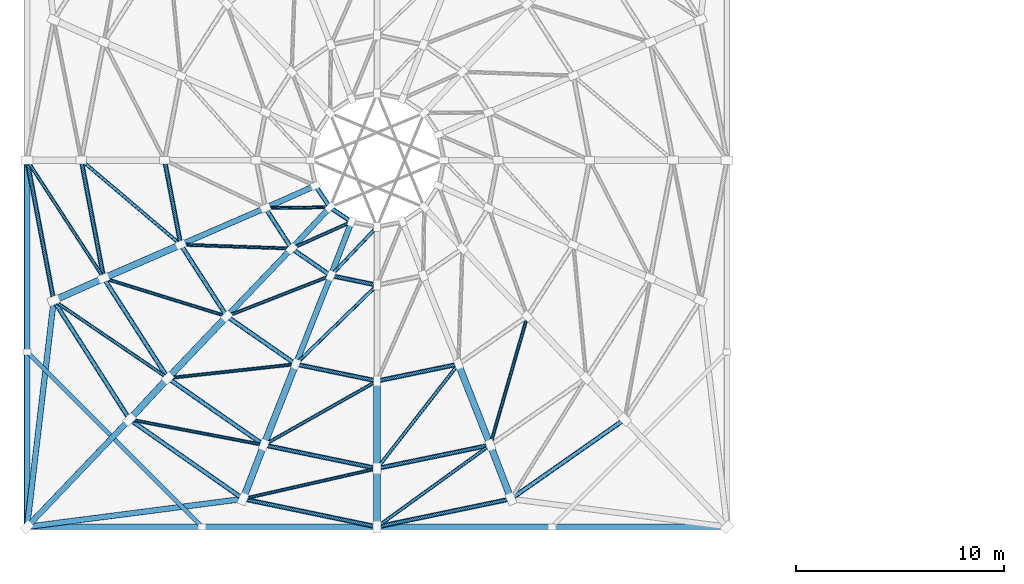
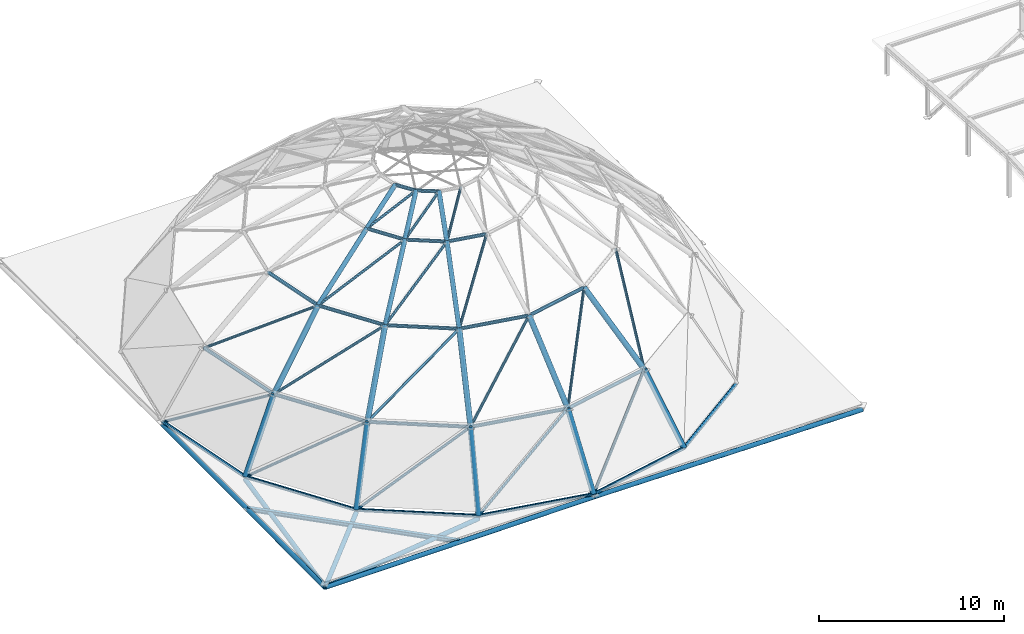
# One storey, part 2 of 49: 45 members, 16 beams.
"""IFC4 building model written with IfcOpenShell, lengths in metres."""

from ifc_helpers import new_model, si_unit, direction, frame, origin, origin_2d, place, context, subcontext, project, spatial, hollow_circle, i_section, extrude, material, material_profile, profile_set, type_object, element, save


model = new_model("IFC4")

# Units and contexts
model_context = context("Model", 3, precision=1e-05, world=origin(), true_north=direction((0.0, 1.0)))
body_context = subcontext(model_context, "Body", "Model", "MODEL_VIEW")
ifc_project = project(units=[si_unit("LENGTHUNIT", "METRE"), si_unit("AREAUNIT", "SQUARE_METRE"), si_unit("VOLUMEUNIT", "CUBIC_METRE"), si_unit("PLANEANGLEUNIT", "RADIAN"), si_unit("MASSUNIT", "GRAM", prefix="KILO")], contexts=[model_context])

# Site, building, storey
site_placement = place(None, origin())
site = spatial("IfcSite", under=ifc_project, at=site_placement, CompositionType="ELEMENT")
building_placement = place(site_placement, origin())
building = spatial("IfcBuilding", under=site, at=building_placement, Name="Kemercrest Conservatory and Botanical Centre", CompositionType="ELEMENT")
storey_placement = place(building_placement, frame((0.0, 0.0, 13.199951171875)))
storey = spatial("IfcBuildingStorey", under=building, at=storey_placement, Name="L03", CompositionType="ELEMENT", Elevation=13.199951171875)

# Member
ifc_material = material(Name="Steel CSA G40.21 350W", Category="steel")
ifc_material_profile_1 = material_profile(ifc_material, i_section(OverallWidth=0.202880859375, OverallDepth=0.251953125, WebThickness=0.008056640625, FlangeThickness=0.013427734375, FilletRadius=0.010986328125, at=origin_2d()), Name="W250X58")
ifc_profile_set_1 = profile_set([ifc_material_profile_1], Name="Steel CSA G40.21 350W")
member_type_1 = type_object("IfcMemberType", Name="BR-LAT250", PredefinedType="BRACE", material=ifc_profile_set_1)
member_1_placement = place(storey_placement, frame((8.0, 25.199951171875, -0.14990234375), z_axis=(0.707106781187, -0.707106781187, 0.0), x_axis=(0.707106781187, 0.707106781187, 0.0)))
element("IfcMember", 1, at=member_1_placement, inside=storey, type_object=member_type_1, Name="Roof diaphragm corner wind brace BR-LAT250", PredefinedType="BRACE", context=body_context, shape_type="SweptSolid", body=[
    extrude(i_section(OverallWidth=0.202880859375, OverallDepth=0.251953125, WebThickness=0.008056640625, FlangeThickness=0.013427734375, FilletRadius=0.010986328125, at=origin_2d()), origin(), (0.0, 0.0, 1.0), 11.879150390625),
])

# Beams
ifc_material_profile_2 = material_profile(ifc_material, hollow_circle(Radius=0.136474609375, WallThickness=0.0126953125, at=origin_2d()), Name="CHS 273.1x12.7")
ifc_profile_set_2 = profile_set([ifc_material_profile_2], Name="Steel CSA G40.21 350W")
beam_type_1 = type_object("IfcBeamType", Name="GR-RIB273", PredefinedType="BEAM", material=ifc_profile_set_2)
beam_1_placement = place(storey_placement, frame((15.37646484375, 30.343505859375, 7.60009765625), z_axis=(0.791402888099, 0.34275112469, 0.506165126448), x_axis=(-0.397421828199, 0.917636033769, 0.0)))
element("IfcBeam", 2, at=beam_1_placement, inside=storey, type_object=beam_type_1, Name="Conservatory dome arch rib R2-09", PredefinedType="BEAM", context=body_context, shape_type="SweptSolid", body=[
    extrude(hollow_circle(Radius=0.136474609375, WallThickness=0.0126953125, at=origin_2d()), origin(), (0.0, 0.0, 1.0), 5.136474609375),
])
beam_2_placement = place(storey_placement, frame((17.58740234375, 26.90478515625, 7.60009765625), z_axis=(0.598558557553, 0.625752955295, 0.500160866242), x_axis=(-0.722634789358, 0.691230034945, 0.0)))
element("IfcBeam", 3, at=beam_2_placement, inside=storey, type_object=beam_type_1, Name="Conservatory dome arch rib R2-10", PredefinedType="BEAM", context=body_context, shape_type="SweptSolid", body=[
    extrude(hollow_circle(Radius=0.136474609375, WallThickness=0.0126953125, at=origin_2d()), origin(), (0.0, 0.0, 1.0), 5.197998046875),
])
beam_3_placement = place(storey_placement, frame((20.896484375, 24.60693359375, 7.60009765625), z_axis=(0.32019434461, 0.808122800729, 0.494381553683), x_axis=(-0.929683571061, 0.368359142277, 0.0)))
element("IfcBeam", 4, at=beam_3_placement, inside=storey, type_object=beam_type_1, Name="Conservatory dome arch rib R2-11", PredefinedType="BEAM", context=body_context, shape_type="SweptSolid", body=[
    extrude(hollow_circle(Radius=0.136474609375, WallThickness=0.0126953125, at=origin_2d()), origin(), (0.0, 0.0, 1.0), 5.2587890625),
])
beam_4_placement = place(storey_placement, frame((19.44140625, 32.10400390625, 10.199951171875), z_axis=(0.806175695367, 0.359538464404, 0.469907268313), x_axis=(-0.40730943077, 0.913290220908, 0.0)))
element("IfcBeam", 5, at=beam_4_placement, inside=storey, type_object=beam_type_1, Name="Conservatory dome arch rib R3-09", PredefinedType="BEAM", context=body_context, shape_type="SweptSolid", body=[
    extrude(hollow_circle(Radius=0.136474609375, WallThickness=0.0126953125, at=origin_2d()), origin(), (0.0, 0.0, 1.0), 2.979736328125),
])
beam_5_placement = place(storey_placement, frame((20.69873046875, 30.157470703125, 10.199951171875), z_axis=(0.604199208879, 0.65057115719, 0.46010921032), x_axis=(-0.732738777422, 0.680510017606, 0.0)))
element("IfcBeam", 6, at=beam_5_placement, inside=storey, type_object=beam_type_1, Name="Conservatory dome arch rib R3-10", PredefinedType="BEAM", context=body_context, shape_type="SweptSolid", body=[
    extrude(hollow_circle(Radius=0.136474609375, WallThickness=0.0126953125, at=origin_2d()), origin(), (0.0, 0.0, 1.0), 3.04296875),
])
beam_6_placement = place(storey_placement, frame((22.580322265625, 28.856689453125, 10.199951171875), z_axis=(0.32045924914, 0.833068254142, 0.450891509768), x_axis=(-0.933327443566, 0.359026298601, 0.0)))
element("IfcBeam", 7, at=beam_6_placement, inside=storey, type_object=beam_type_1, Name="Conservatory dome arch rib R3-11", PredefinedType="BEAM", context=body_context, shape_type="SweptSolid", body=[
    extrude(hollow_circle(Radius=0.136474609375, WallThickness=0.0126953125, at=origin_2d()), origin(), (0.0, 0.0, 1.0), 3.105224609375),
])
ifc_material_profile_3 = material_profile(ifc_material, hollow_circle(Radius=0.161865234375, WallThickness=0.0126953125, at=origin_2d()), Name="CHS 323.9x12.7")
ifc_profile_set_3 = profile_set([ifc_material_profile_3], Name="Steel CSA G40.21 350W")
beam_type_2 = type_object("IfcBeamType", Name="GR-RIB324", PredefinedType="BEAM", material=ifc_profile_set_3)
beam_7_placement = place(storey_placement, frame((9.27880859375, 27.664794921875, 0.02001953125), z_axis=(0.503522747608, 0.22461239346, 0.834274604279), x_axis=(-0.407386850353, 0.913255689366, 0.0)))
element("IfcBeam", 8, at=beam_7_placement, inside=storey, type_object=beam_type_2, Name="Conservatory dome arch rib R0-09", PredefinedType="BEAM", context=body_context, shape_type="SweptSolid", body=[
    extrude(hollow_circle(Radius=0.161865234375, WallThickness=0.0126953125, at=origin_2d()), origin(), (0.0, 0.0, 1.0), 4.7705078125),
])
beam_8_placement = place(storey_placement, frame((12.920654296875, 21.954833984375, 0.02001953125), z_axis=(0.382165461499, 0.411601844987, 0.827365385571), x_axis=(-0.732825674087, 0.680416439689, 0.0)))
element("IfcBeam", 9, at=beam_8_placement, inside=storey, type_object=beam_type_2, Name="Conservatory dome arch rib R0-10", PredefinedType="BEAM", context=body_context, shape_type="SweptSolid", body=[
    extrude(hollow_circle(Radius=0.161865234375, WallThickness=0.0126953125, at=origin_2d()), origin(), (0.0, 0.0, 1.0), 4.810546875),
])
beam_9_placement = place(storey_placement, frame((18.370849609375, 18.1396484375, 0.02001953125), z_axis=(0.205178247157, 0.533382901589, 0.820612312354), x_axis=(-0.933327443566, 0.359026298601, 0.0)))
element("IfcBeam", 10, at=beam_9_placement, inside=storey, type_object=beam_type_2, Name="Conservatory dome arch rib R0-11", PredefinedType="BEAM", context=body_context, shape_type="SweptSolid", body=[
    extrude(hollow_circle(Radius=0.161865234375, WallThickness=0.0126953125, at=origin_2d()), origin(), (0.0, 0.0, 1.0), 4.85009765625),
])
beam_10_placement = place(storey_placement, frame((24.800048828125, 16.800048828125, 0.02001953125), z_axis=(0.0, 0.575400196627, 0.817872003263), x_axis=(-1.0, 0.0, 0.0)))
element("IfcBeam", 11, at=beam_10_placement, inside=storey, type_object=beam_type_2, Name="Conservatory dome arch rib R0-12", PredefinedType="BEAM", context=body_context, shape_type="SweptSolid", body=[
    extrude(hollow_circle(Radius=0.161865234375, WallThickness=0.0126953125, at=origin_2d()), origin(), (0.0, 0.0, 1.0), 4.8662109375),
])
beam_11_placement = place(storey_placement, frame((31.22900390625, 18.1396484375, 0.02001953125), z_axis=(-0.205130027413, 0.533388409932, 0.820620786968), x_axis=(-0.933356956997, -0.358949565852, 0.0)))
element("IfcBeam", 12, at=beam_11_placement, inside=storey, type_object=beam_type_2, Name="Conservatory dome arch rib R0-13", PredefinedType="BEAM", context=body_context, shape_type="SweptSolid", body=[
    extrude(hollow_circle(Radius=0.161865234375, WallThickness=0.0126953125, at=origin_2d()), origin(), (0.0, 0.0, 1.0), 4.849853515625),
])
beam_12_placement = place(storey_placement, frame((11.680908203125, 28.736328125, 4.0), z_axis=(0.68388334128, 0.297417192023, 0.666218124497), x_axis=(-0.398812504267, 0.917032489305, 0.0)))
element("IfcBeam", 13, at=beam_12_placement, inside=storey, type_object=beam_type_2, Name="Conservatory dome arch rib R1-09", PredefinedType="BEAM", context=body_context, shape_type="SweptSolid", body=[
    extrude(hollow_circle(Radius=0.161865234375, WallThickness=0.0126953125, at=origin_2d()), origin(), (0.0, 0.0, 1.0), 5.40380859375),
])
beam_13_placement = place(storey_placement, frame((14.759033203125, 23.934814453125, 4.0), z_axis=(0.518281509086, 0.544229137508, 0.659696083986), x_axis=(-0.724159165442, 0.689632875598, 0.0)))
element("IfcBeam", 14, at=beam_13_placement, inside=storey, type_object=beam_type_2, Name="Conservatory dome arch rib R1-10", PredefinedType="BEAM", context=body_context, shape_type="SweptSolid", body=[
    extrude(hollow_circle(Radius=0.161865234375, WallThickness=0.0126953125, at=origin_2d()), origin(), (0.0, 0.0, 1.0), 5.457275390625),
])
beam_14_placement = place(storey_placement, frame((19.365966796875, 20.7265625, 4.0), z_axis=(0.277769206381, 0.704237321139, 0.653371305997), x_axis=(-0.93025407959, 0.366915995026, 0.0)))
element("IfcBeam", 15, at=beam_14_placement, inside=storey, type_object=beam_type_2, Name="Conservatory dome arch rib R1-11", PredefinedType="BEAM", context=body_context, shape_type="SweptSolid", body=[
    extrude(hollow_circle(Radius=0.161865234375, WallThickness=0.0126953125, at=origin_2d()), origin(), (0.0, 0.0, 1.0), 5.510009765625),
])
beam_15_placement = place(storey_placement, frame((24.800048828125, 19.60009765625, 4.0), z_axis=(0.0, 0.759244140748, 0.650805911728), x_axis=(-1.0, 0.0, 0.0)))
element("IfcBeam", 16, at=beam_15_placement, inside=storey, type_object=beam_type_2, Name="Conservatory dome arch rib R1-12", PredefinedType="BEAM", context=body_context, shape_type="SweptSolid", body=[
    extrude(hollow_circle(Radius=0.161865234375, WallThickness=0.0126953125, at=origin_2d()), origin(), (0.0, 0.0, 1.0), 5.53173828125),
])
beam_16_placement = place(storey_placement, frame((30.234130859375, 20.7265625, 4.0), z_axis=(-0.277810095357, 0.704228653206, 0.653363264136), x_axis=(-0.930234101349, -0.366966642472, 0.0)))
element("IfcBeam", 17, at=beam_16_placement, inside=storey, type_object=beam_type_2, Name="Conservatory dome arch rib R1-13", PredefinedType="BEAM", context=body_context, shape_type="SweptSolid", body=[
    extrude(hollow_circle(Radius=0.161865234375, WallThickness=0.0126953125, at=origin_2d()), origin(), (0.0, 0.0, 1.0), 5.510009765625),
])

# Members
ifc_material_profile_4 = material_profile(ifc_material, hollow_circle(Radius=0.084228515625, WallThickness=0.009521484375, at=origin_2d()), Name="CHS 168.3x9.5")
ifc_profile_set_4 = profile_set([ifc_material_profile_4], Name="Steel CSA G40.21 350W")
member_type_2 = type_object("IfcMemberType", Name="MB-DIAG168", PredefinedType="BRACE", material=ifc_profile_set_4)
member_2_placement = place(storey_placement, frame((8.0, 34.39990234375, 0.02001953125), z_axis=(0.469504351017, -0.722395830397, 0.50765138491), x_axis=(0.838471692004, 0.54494515477, 0.0)))
element("IfcMember", 18, at=member_2_placement, inside=storey, type_object=member_type_2, Name="Conservatory dome diagrid brace R0-08", PredefinedType="BRACE", context=body_context, shape_type="SweptSolid", body=[
    extrude(hollow_circle(Radius=0.084228515625, WallThickness=0.009521484375, at=origin_2d()), origin(), (0.0, 0.0, 1.0), 7.840087890625),
])
member_3_placement = place(storey_placement, frame((9.27880859375, 27.664794921875, 0.02001953125), z_axis=(0.708759863811, -0.482400017789, 0.514732627961), x_axis=(0.562663546351, 0.826685994564, 0.0)))
element("IfcMember", 19, at=member_3_placement, inside=storey, type_object=member_type_2, Name="Conservatory dome diagrid brace R0-09", PredefinedType="BRACE", context=body_context, shape_type="SweptSolid", body=[
    extrude(hollow_circle(Radius=0.084228515625, WallThickness=0.009521484375, at=origin_2d()), origin(), (0.0, 0.0, 1.0), 7.732177734375),
])
member_4_placement = place(storey_placement, frame((12.920654296875, 21.954833984375, 0.02001953125), z_axis=(0.839884765954, -0.160055312785, 0.518628842977), x_axis=(0.1871993085, 0.982321952772, 0.0)))
element("IfcMember", 20, at=member_4_placement, inside=storey, type_object=member_type_2, Name="Conservatory dome diagrid brace R0-10", PredefinedType="BRACE", context=body_context, shape_type="SweptSolid", body=[
    extrude(hollow_circle(Radius=0.084228515625, WallThickness=0.009521484375, at=origin_2d()), origin(), (0.0, 0.0, 1.0), 7.674072265625),
])
member_5_placement = place(storey_placement, frame((18.370849609375, 18.1396484375, 0.02001953125), z_axis=(0.834835918273, 0.189640330489, 0.516803187502), x_axis=(-0.221515467618, 0.97515685795, 0.0)))
element("IfcMember", 21, at=member_5_placement, inside=storey, type_object=member_type_2, Name="Conservatory dome diagrid brace R0-11", PredefinedType="BRACE", context=body_context, shape_type="SweptSolid", body=[
    extrude(hollow_circle(Radius=0.084228515625, WallThickness=0.009521484375, at=origin_2d()), origin(), (0.0, 0.0, 1.0), 7.701171875),
])
member_6_placement = place(storey_placement, frame((24.800048828125, 16.800048828125, 0.02001953125), z_axis=(0.696980823106, 0.503618590081, 0.510476295187), x_axis=(-0.58567668046, 0.810544771105, 0.0)))
element("IfcMember", 22, at=member_6_placement, inside=storey, type_object=member_type_2, Name="Conservatory dome diagrid brace R0-12", PredefinedType="BRACE", context=body_context, shape_type="SweptSolid", body=[
    extrude(hollow_circle(Radius=0.084228515625, WallThickness=0.009521484375, at=origin_2d()), origin(), (0.0, 0.0, 1.0), 7.796630859375),
])
member_7_placement = place(storey_placement, frame((10.60009765625, 34.39990234375, 4.0), z_axis=(0.660910932157, -0.561287831619, 0.498149284685), x_axis=(0.64732265645, 0.762216096948, 0.0)))
element("IfcMember", 23, at=member_7_placement, inside=storey, type_object=member_type_2, Name="Conservatory dome diagrid brace R1-08", PredefinedType="BRACE", context=body_context, shape_type="SweptSolid", body=[
    extrude(hollow_circle(Radius=0.084228515625, WallThickness=0.009521484375, at=origin_2d()), origin(), (0.0, 0.0, 1.0), 7.22705078125),
])
member_8_placement = place(storey_placement, frame((11.680908203125, 28.736328125, 4.0), z_axis=(0.825442126685, -0.255961097606, 0.503119480845), x_axis=(0.296176929974, 0.955133093423, 0.0)))
element("IfcMember", 24, at=member_8_placement, inside=storey, type_object=member_type_2, Name="Conservatory dome diagrid brace R1-09", PredefinedType="BRACE", context=body_context, shape_type="SweptSolid", body=[
    extrude(hollow_circle(Radius=0.084228515625, WallThickness=0.009521484375, at=origin_2d()), origin(), (0.0, 0.0, 1.0), 7.155517578125),
])
member_9_placement = place(storey_placement, frame((14.759033203125, 23.934814453125, 4.0), z_axis=(0.858735465908, 0.094041081095, 0.503715866991), x_axis=(-0.108860299988, 0.994057058265, 0.0)))
element("IfcMember", 25, at=member_9_placement, inside=storey, type_object=member_type_2, Name="Conservatory dome diagrid brace R1-10", PredefinedType="BRACE", context=body_context, shape_type="SweptSolid", body=[
    extrude(hollow_circle(Radius=0.084228515625, WallThickness=0.009521484375, at=origin_2d()), origin(), (0.0, 0.0, 1.0), 7.14697265625),
])
member_10_placement = place(storey_placement, frame((19.365966796875, 20.7265625, 4.0), z_axis=(0.754033805362, 0.426477292466, 0.499549936826), x_axis=(-0.492305935315, 0.870422234351, 0.0)))
element("IfcMember", 26, at=member_10_placement, inside=storey, type_object=member_type_2, Name="Conservatory dome diagrid brace R1-11", PredefinedType="BRACE", context=body_context, shape_type="SweptSolid", body=[
    extrude(hollow_circle(Radius=0.084228515625, WallThickness=0.009521484375, at=origin_2d()), origin(), (0.0, 0.0, 1.0), 7.206787109375),
])
member_11_placement = place(storey_placement, frame((24.800048828125, 19.60009765625, 4.0), z_axis=(0.534826785478, 0.686028753851, 0.493279695938), x_axis=(-0.788655952444, 0.614834765344, 0.0)))
element("IfcMember", 27, at=member_11_placement, inside=storey, type_object=member_type_2, Name="Conservatory dome diagrid brace R1-12", PredefinedType="BRACE", context=body_context, shape_type="SweptSolid", body=[
    extrude(hollow_circle(Radius=0.084228515625, WallThickness=0.009521484375, at=origin_2d()), origin(), (0.0, 0.0, 1.0), 7.29833984375),
])
member_12_placement = place(storey_placement, frame((30.234130859375, 20.7265625, 4.0), z_axis=(0.241343620673, 0.838473594833, 0.48858498496), x_axis=(-0.960983289976, 0.27660642868, 0.0)))
element("IfcMember", 28, at=member_12_placement, inside=storey, type_object=member_type_2, Name="Conservatory dome diagrid brace R1-13", PredefinedType="BRACE", context=body_context, shape_type="SweptSolid", body=[
    extrude(hollow_circle(Radius=0.084228515625, WallThickness=0.009521484375, at=origin_2d()), origin(), (0.0, 0.0, 1.0), 7.368408203125),
])
member_13_placement = place(storey_placement, frame((15.37646484375, 30.343505859375, 7.60009765625), z_axis=(0.898084236958, -0.031391751769, 0.438701790797), x_axis=(0.034932794666, 0.999389663673, 0.0)))
element("IfcMember", 29, at=member_13_placement, inside=storey, type_object=member_type_2, Name="Conservatory dome diagrid brace R2-09", PredefinedType="BRACE", context=body_context, shape_type="SweptSolid", body=[
    extrude(hollow_circle(Radius=0.084228515625, WallThickness=0.009521484375, at=origin_2d()), origin(), (0.0, 0.0, 1.0), 5.92626953125),
])
member_14_placement = place(storey_placement, frame((17.58740234375, 26.90478515625, 7.60009765625), z_axis=(0.838011736516, 0.327607639404, 0.436359443654), x_axis=(-0.364100550792, 0.93135964531, 0.0)))
element("IfcMember", 30, at=member_14_placement, inside=storey, type_object=member_type_2, Name="Conservatory dome diagrid brace R2-10", PredefinedType="BRACE", context=body_context, shape_type="SweptSolid", body=[
    extrude(hollow_circle(Radius=0.084228515625, WallThickness=0.009521484375, at=origin_2d()), origin(), (0.0, 0.0, 1.0), 5.9580078125),
])
member_15_placement = place(storey_placement, frame((20.896484375, 24.60693359375, 7.60009765625), z_axis=(0.647154727909, 0.628819554243, 0.431018243636), x_axis=(-0.696874033445, 0.717193545363, 0.0)))
element("IfcMember", 31, at=member_15_placement, inside=storey, type_object=member_type_2, Name="Conservatory dome diagrid brace R2-11", PredefinedType="BRACE", context=body_context, shape_type="SweptSolid", body=[
    extrude(hollow_circle(Radius=0.084228515625, WallThickness=0.009521484375, at=origin_2d()), origin(), (0.0, 0.0, 1.0), 6.031982421875),
])
member_16_placement = place(storey_placement, frame((19.44140625, 32.10400390625, 10.199951171875), z_axis=(0.911108746552, 0.009771373672, 0.412050205936), x_axis=(-0.010724089532, 0.999942495298, 0.0)))
element("IfcMember", 32, at=member_16_placement, inside=storey, type_object=member_type_2, Name="Conservatory dome diagrid brace R3-09", PredefinedType="BRACE", context=body_context, shape_type="SweptSolid", body=[
    extrude(hollow_circle(Radius=0.084228515625, WallThickness=0.009521484375, at=origin_2d()), origin(), (0.0, 0.0, 1.0), 3.39794921875),
])
member_17_placement = place(storey_placement, frame((20.69873046875, 30.157470703125, 10.199951171875), z_axis=(0.834266796404, 0.37298798977, 0.406052794481), x_axis=(-0.408150292542, 0.912914748866, 0.0)))
element("IfcMember", 33, at=member_17_placement, inside=storey, type_object=member_type_2, Name="Conservatory dome diagrid brace R3-10", PredefinedType="BRACE", context=body_context, shape_type="SweptSolid", body=[
    extrude(hollow_circle(Radius=0.084228515625, WallThickness=0.009521484375, at=origin_2d()), origin(), (0.0, 0.0, 1.0), 3.4482421875),
])
member_18_placement = place(storey_placement, frame((22.580322265625, 28.856689453125, 10.199951171875), z_axis=(0.630907899994, 0.666020020253, 0.397960493452), x_axis=(-0.725984484696, 0.687711078856, 0.0)))
element("IfcMember", 34, at=member_18_placement, inside=storey, type_object=member_type_2, Name="Conservatory dome diagrid brace R3-11", PredefinedType="BRACE", context=body_context, shape_type="SweptSolid", body=[
    extrude(hollow_circle(Radius=0.084228515625, WallThickness=0.009521484375, at=origin_2d()), origin(), (0.0, 0.0, 1.0), 3.518310546875),
])
ifc_material_profile_5 = material_profile(ifc_material, hollow_circle(Radius=0.136474609375, WallThickness=0.0126953125, at=origin_2d()), Name="CHS 273.1x12.7")
ifc_profile_set_5 = profile_set([ifc_material_profile_5], Name="Steel CSA G40.21 350W")
member_type_3 = type_object("IfcMemberType", Name="MB-PEND273", PredefinedType="BRACE", material=ifc_profile_set_5)
member_19_placement = place(storey_placement, frame((8.0, 16.800048828125, -0.25), z_axis=(0.0, 0.999983827052, 0.005687322186), x_axis=(-1.0, 0.0, 0.0)))
element("IfcMember", 35, at=member_19_placement, inside=storey, type_object=member_type_3, Name="Conservatory pendentive fan brace SW-08", PredefinedType="BRACE", context=body_context, shape_type="SweptSolid", body=[
    extrude(hollow_circle(Radius=0.136474609375, WallThickness=0.0126953125, at=origin_2d()), origin(), (0.0, 0.0, 1.0), 17.60009765625),
])
member_20_placement = place(storey_placement, frame((8.0, 16.800048828125, -0.25), z_axis=(0.116890737429, 0.993102634036, 0.009149523166), x_axis=(-0.993144204831, 0.116895630419, 0.0)))
element("IfcMember", 36, at=member_20_placement, inside=storey, type_object=member_type_3, Name="Conservatory pendentive fan brace SW-09", PredefinedType="BRACE", context=body_context, shape_type="SweptSolid", body=[
    extrude(hollow_circle(Radius=0.136474609375, WallThickness=0.0126953125, at=origin_2d()), origin(), (0.0, 0.0, 1.0), 10.940185546875),
])
member_21_placement = place(storey_placement, frame((8.0, 16.800048828125, -0.25), z_axis=(0.69042067868, 0.723271754386, 0.014044776892), x_axis=(-0.7233430997, 0.690488783483, 0.0)))
element("IfcMember", 37, at=member_21_placement, inside=storey, type_object=member_type_3, Name="Conservatory pendentive fan brace SW-10", PredefinedType="BRACE", context=body_context, shape_type="SweptSolid", body=[
    extrude(hollow_circle(Radius=0.136474609375, WallThickness=0.0126953125, at=origin_2d()), origin(), (0.0, 0.0, 1.0), 7.126953125),
])
member_22_placement = place(storey_placement, frame((8.0, 16.800048828125, -0.25), z_axis=(0.99171512248, 0.12809955218, 0.00957186375), x_axis=(-0.12810542086, 0.991760556357, 0.0)))
element("IfcMember", 38, at=member_22_placement, inside=storey, type_object=member_type_3, Name="Conservatory pendentive fan brace SW-11", PredefinedType="BRACE", context=body_context, shape_type="SweptSolid", body=[
    extrude(hollow_circle(Radius=0.136474609375, WallThickness=0.0126953125, at=origin_2d()), origin(), (0.0, 0.0, 1.0), 10.45751953125),
])
for number, where, z_axis, x_axis, name in (
    (39, (8.0, 16.800048828125, -0.25), (0.999982250539, 0.0, 0.005958070753), (0.0, 1.0, 0.0), "Conservatory pendentive fan brace SW-12"),
    (40, (41.60009765625, 16.800048828125, -0.25), (-0.999982250539, 0.0, 0.005958070753), (0.0, -1.0, 0.0), "Conservatory pendentive fan brace SE-12"),
):
    element("IfcMember", number, at=place(storey_placement, frame(where, z_axis=z_axis, x_axis=x_axis)), inside=storey, type_object=member_type_3, Name=name, PredefinedType="BRACE", context=body_context, shape_type="SweptSolid", body=[
        extrude(hollow_circle(Radius=0.136474609375, WallThickness=0.0126953125, at=origin_2d()), origin(), (0.0, 0.0, 1.0), 16.80029296875),
    ])
ifc_material_profile_6 = material_profile(ifc_material, hollow_circle(Radius=0.109619140625, WallThickness=0.010009765625, at=origin_2d()), Name="CHS 219.1x10.0")
ifc_profile_set_6 = profile_set([ifc_material_profile_6], Name="Steel CSA G40.21 350W")
member_type_4 = type_object("IfcMemberType", Name="MB-RING219", PredefinedType="CHORD", material=ifc_profile_set_6)
member_23_placement = place(storey_placement, frame((8.0, 34.39990234375, 0.02001953125), z_axis=(0.186539311687, -0.982447497424, 0.0), x_axis=(0.982447497424, 0.186539311687, 0.0)))
element("IfcMember", 41, at=member_23_placement, inside=storey, type_object=member_type_4, Name="Conservatory dome latitude ring R0-08", PredefinedType="CHORD", context=body_context, shape_type="SweptSolid", body=[
    extrude(hollow_circle(Radius=0.109619140625, WallThickness=0.010009765625, at=origin_2d()), origin(), (0.0, 0.0, 1.0), 6.85546875),
])
member_24_placement = place(storey_placement, frame((9.27880859375, 27.664794921875, 0.02001953125), z_axis=(0.537740594043, -0.843110344806, 0.0), x_axis=(0.843110344806, 0.537740594043, 0.0)))
element("IfcMember", 42, at=member_24_placement, inside=storey, type_object=member_type_4, Name="Conservatory dome latitude ring R0-09", PredefinedType="CHORD", context=body_context, shape_type="SweptSolid", body=[
    extrude(hollow_circle(Radius=0.109619140625, WallThickness=0.010009765625, at=origin_2d()), origin(), (0.0, 0.0, 1.0), 6.7724609375),
])
member_25_placement = place(storey_placement, frame((12.920654296875, 21.954833984375, 0.02001953125), z_axis=(0.819228472444, -0.573467270153, 0.0), x_axis=(0.573467270153, 0.819228472444, 0.0)))
element("IfcMember", 43, at=member_25_placement, inside=storey, type_object=member_type_4, Name="Conservatory dome latitude ring R0-10", PredefinedType="CHORD", context=body_context, shape_type="SweptSolid", body=[
    extrude(hollow_circle(Radius=0.109619140625, WallThickness=0.010009765625, at=origin_2d()), origin(), (0.0, 0.0, 1.0), 6.65283203125),
])
member_26_placement = place(storey_placement, frame((18.370849609375, 18.1396484375, 0.02001953125), z_axis=(0.978974852353, -0.20398097573, 0.0), x_axis=(0.20398097573, 0.978974852353, 0.0)))
element("IfcMember", 44, at=member_26_placement, inside=storey, type_object=member_type_4, Name="Conservatory dome latitude ring R0-11", PredefinedType="CHORD", context=body_context, shape_type="SweptSolid", body=[
    extrude(hollow_circle(Radius=0.109619140625, WallThickness=0.010009765625, at=origin_2d()), origin(), (0.0, 0.0, 1.0), 6.5673828125),
])
member_27_placement = place(storey_placement, frame((24.800048828125, 16.800048828125, 0.02001953125), z_axis=(0.978973305469, 0.203988399617, 0.0), x_axis=(-0.203988399617, 0.978973305469, 0.0)))
element("IfcMember", 45, at=member_27_placement, inside=storey, type_object=member_type_4, Name="Conservatory dome latitude ring R0-12", PredefinedType="CHORD", context=body_context, shape_type="SweptSolid", body=[
    extrude(hollow_circle(Radius=0.109619140625, WallThickness=0.010009765625, at=origin_2d()), origin(), (0.0, 0.0, 1.0), 6.567138671875),
])
member_28_placement = place(storey_placement, frame((31.22900390625, 18.1396484375, 0.02001953125), z_axis=(0.819240540317, 0.573450030169, 0.0), x_axis=(-0.573450030169, 0.819240540317, 0.0)))
element("IfcMember", 46, at=member_28_placement, inside=storey, type_object=member_type_4, Name="Conservatory dome latitude ring R0-13", PredefinedType="CHORD", context=body_context, shape_type="SweptSolid", body=[
    extrude(hollow_circle(Radius=0.109619140625, WallThickness=0.010009765625, at=origin_2d()), origin(), (0.0, 0.0, 1.0), 6.653076171875),
])
member_29_placement = place(storey_placement, frame((10.60009765625, 34.39990234375, 4.0), z_axis=(0.187452601335, -0.982273649373, 0.0), x_axis=(0.982273649373, 0.187452601335, 0.0)))
element("IfcMember", 47, at=member_29_placement, inside=storey, type_object=member_type_4, Name="Conservatory dome latitude ring R1-08", PredefinedType="CHORD", context=body_context, shape_type="SweptSolid", body=[
    extrude(hollow_circle(Radius=0.109619140625, WallThickness=0.010009765625, at=origin_2d()), origin(), (0.0, 0.0, 1.0), 5.765869140625),
])
member_30_placement = place(storey_placement, frame((11.680908203125, 28.736328125, 4.0), z_axis=(0.539694897582, -0.841860687717, 0.0), x_axis=(0.841860687717, 0.539694897582, 0.0)))
element("IfcMember", 48, at=member_30_placement, inside=storey, type_object=member_type_4, Name="Conservatory dome latitude ring R1-09", PredefinedType="CHORD", context=body_context, shape_type="SweptSolid", body=[
    extrude(hollow_circle(Radius=0.109619140625, WallThickness=0.010009765625, at=origin_2d()), origin(), (0.0, 0.0, 1.0), 5.703369140625),
])
member_31_placement = place(storey_placement, frame((14.759033203125, 23.934814453125, 4.0), z_axis=(0.82061879792, -0.571475973686, 0.0), x_axis=(0.571475973686, 0.82061879792, 0.0)))
element("IfcMember", 49, at=member_31_placement, inside=storey, type_object=member_type_4, Name="Conservatory dome latitude ring R1-10", PredefinedType="CHORD", context=body_context, shape_type="SweptSolid", body=[
    extrude(hollow_circle(Radius=0.109619140625, WallThickness=0.010009765625, at=origin_2d()), origin(), (0.0, 0.0, 1.0), 5.614013671875),
])
for number, where, z_axis, x_axis, name in (
    (50, (19.365966796875, 20.7265625, 4.0), (0.979182696245, -0.202980903966, 0.0), (0.202980903966, 0.979182696245, 0.0), "Conservatory dome latitude ring R1-11"),
    (51, (24.800048828125, 19.60009765625, 4.0), (0.979182696245, 0.202980903966, 0.0), (-0.202980903966, 0.979182696245, 0.0), "Conservatory dome latitude ring R1-12"),
):
    element("IfcMember", number, at=place(storey_placement, frame(where, z_axis=z_axis, x_axis=x_axis)), inside=storey, type_object=member_type_4, Name=name, PredefinedType="CHORD", context=body_context, shape_type="SweptSolid", body=[
        extrude(hollow_circle(Radius=0.109619140625, WallThickness=0.010009765625, at=origin_2d()), origin(), (0.0, 0.0, 1.0), 5.549560546875),
    ])
member_32_placement = place(storey_placement, frame((14.60009765625, 34.39990234375, 7.60009765625), z_axis=(0.187981276325, -0.982172611994, 0.0), x_axis=(0.982172611994, 0.187981276325, 0.0)))
element("IfcMember", 52, at=member_32_placement, inside=storey, type_object=member_type_4, Name="Conservatory dome latitude ring R2-08", PredefinedType="CHORD", context=body_context, shape_type="SweptSolid", body=[
    extrude(hollow_circle(Radius=0.109619140625, WallThickness=0.010009765625, at=origin_2d()), origin(), (0.0, 0.0, 1.0), 4.130126953125),
])
member_33_placement = place(storey_placement, frame((15.37646484375, 30.343505859375, 7.60009765625), z_axis=(0.54081493751, -0.841141607202, 0.0), x_axis=(0.841141607202, 0.54081493751, 0.0)))
element("IfcMember", 53, at=member_33_placement, inside=storey, type_object=member_type_4, Name="Conservatory dome latitude ring R2-09", PredefinedType="CHORD", context=body_context, shape_type="SweptSolid", body=[
    extrude(hollow_circle(Radius=0.109619140625, WallThickness=0.010009765625, at=origin_2d()), origin(), (0.0, 0.0, 1.0), 4.088134765625),
])
member_34_placement = place(storey_placement, frame((17.58740234375, 26.90478515625, 7.60009765625), z_axis=(0.821384161354, -0.570375367173, 0.0), x_axis=(0.570375367173, 0.821384161354, 0.0)))
element("IfcMember", 54, at=member_34_placement, inside=storey, type_object=member_type_4, Name="Conservatory dome latitude ring R2-10", PredefinedType="CHORD", context=body_context, shape_type="SweptSolid", body=[
    extrude(hollow_circle(Radius=0.109619140625, WallThickness=0.010009765625, at=origin_2d()), origin(), (0.0, 0.0, 1.0), 4.028564453125),
])
member_35_placement = place(storey_placement, frame((20.896484375, 24.60693359375, 7.60009765625), z_axis=(0.979297696585, -0.202425347878, 0.0), x_axis=(0.202425347878, 0.979297696585, 0.0)))
element("IfcMember", 55, at=member_35_placement, inside=storey, type_object=member_type_4, Name="Conservatory dome latitude ring R2-11", PredefinedType="CHORD", context=body_context, shape_type="SweptSolid", body=[
    extrude(hollow_circle(Radius=0.109619140625, WallThickness=0.010009765625, at=origin_2d()), origin(), (0.0, 0.0, 1.0), 3.986083984375),
])
member_36_placement = place(storey_placement, frame((24.800048828125, 23.800048828125, 7.60009765625), z_axis=(0.979295186651, 0.20243749011, 0.0), x_axis=(-0.20243749011, 0.979295186651, 0.0)))
element("IfcMember", 56, at=member_36_placement, inside=storey, type_object=member_type_4, Name="Conservatory dome latitude ring R2-12", PredefinedType="CHORD", context=body_context, shape_type="SweptSolid", body=[
    extrude(hollow_circle(Radius=0.109619140625, WallThickness=0.010009765625, at=origin_2d()), origin(), (0.0, 0.0, 1.0), 3.98583984375),
])
member_37_placement = place(storey_placement, frame((19.44140625, 32.10400390625, 10.199951171875), z_axis=(0.542582738644, -0.840002364119, 0.0), x_axis=(0.840002364119, 0.542582738644, 0.0)))
element("IfcMember", 57, at=member_37_placement, inside=storey, type_object=member_type_4, Name="Conservatory dome latitude ring R3-09", PredefinedType="CHORD", context=body_context, shape_type="SweptSolid", body=[
    extrude(hollow_circle(Radius=0.109619140625, WallThickness=0.010009765625, at=origin_2d()), origin(), (0.0, 0.0, 1.0), 2.3173828125),
])
member_38_placement = place(storey_placement, frame((20.69873046875, 30.157470703125, 10.199951171875), z_axis=(0.822572395755, -0.568660402826, 0.0), x_axis=(0.568660402826, 0.822572395755, 0.0)))
element("IfcMember", 58, at=member_38_placement, inside=storey, type_object=member_type_4, Name="Conservatory dome latitude ring R3-10", PredefinedType="CHORD", context=body_context, shape_type="SweptSolid", body=[
    extrude(hollow_circle(Radius=0.109619140625, WallThickness=0.010009765625, at=origin_2d()), origin(), (0.0, 0.0, 1.0), 2.287353515625),
])
member_39_placement = place(storey_placement, frame((22.580322265625, 28.856689453125, 10.199951171875), z_axis=(0.979475813432, -0.201561729755, 0.0), x_axis=(0.201561729755, 0.979475813432, 0.0)))
element("IfcMember", 59, at=member_39_placement, inside=storey, type_object=member_type_4, Name="Conservatory dome latitude ring R3-11", PredefinedType="CHORD", context=body_context, shape_type="SweptSolid", body=[
    extrude(hollow_circle(Radius=0.109619140625, WallThickness=0.010009765625, at=origin_2d()), origin(), (0.0, 0.0, 1.0), 2.266357421875),
])
for number, where, z_axis, x_axis, name in (
    (60, (21.843505859375, 33.17529296875, 11.60009765625), (0.555692485475, -0.831387912822, 0.0), (0.831387912822, 0.555692485475, 0.0), "Conservatory dome latitude ring R4-09"),
    (61, (22.537353515625, 32.13720703125, 11.60009765625), (0.831478245117, -0.555557312883, 0.0), (0.555557312883, 0.831478245117, 0.0), "Conservatory dome latitude ring R4-10"),
):
    element("IfcMember", number, at=place(storey_placement, frame(where, z_axis=z_axis, x_axis=x_axis)), inside=storey, type_object=member_type_4, Name=name, PredefinedType="CHORD", context=body_context, shape_type="SweptSolid", body=[
        extrude(hollow_circle(Radius=0.109619140625, WallThickness=0.010009765625, at=origin_2d()), origin(), (0.0, 0.0, 1.0), 1.24853515625),
    ])

save(model, "model.ifc")
